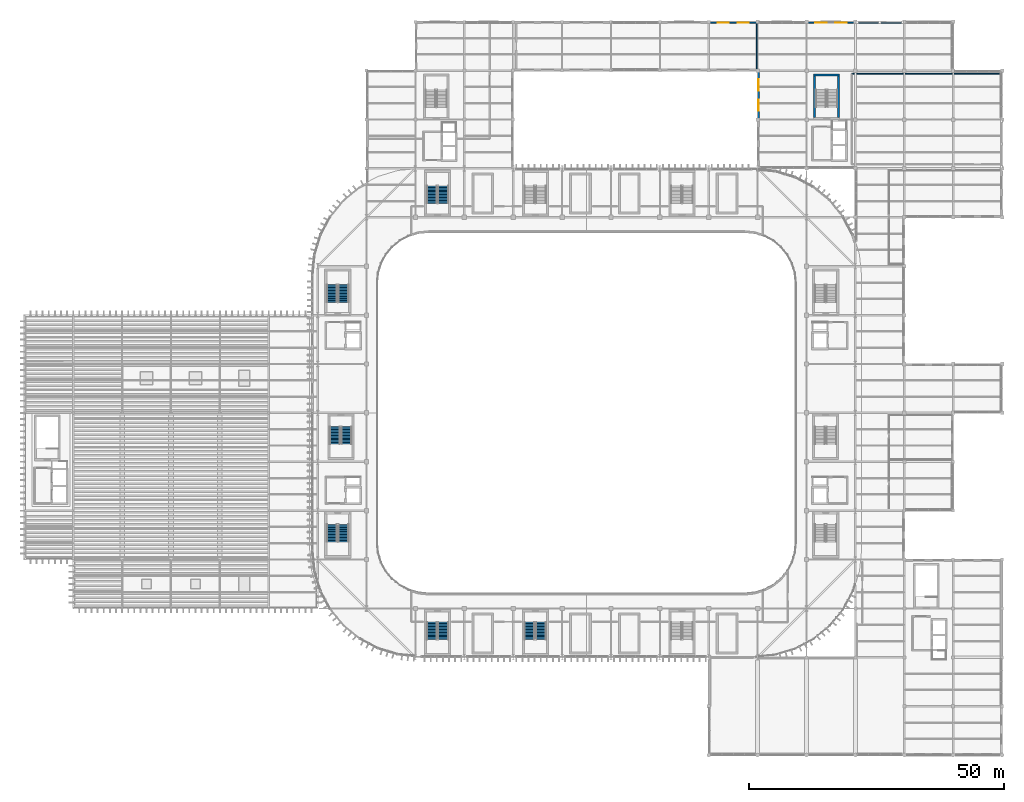
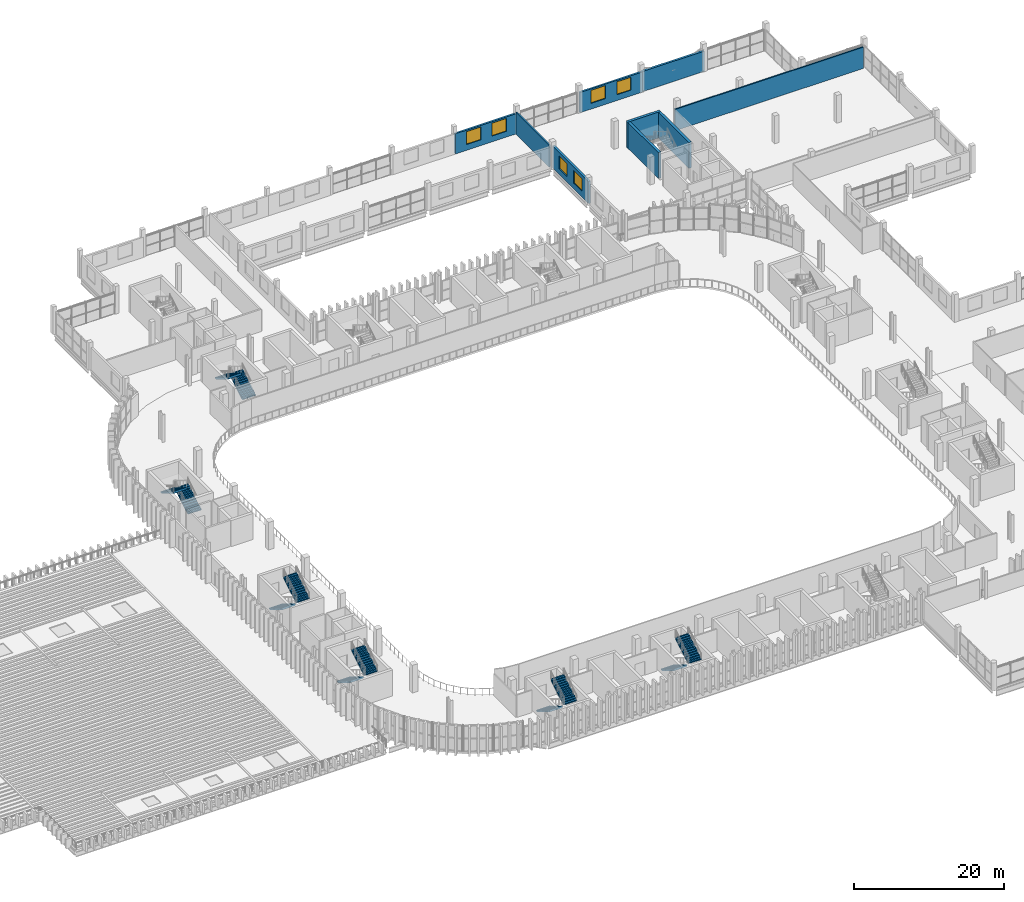
# One storey, part 65 of 92: 12 stair flights, 9 walls, 6 windows, 6 openings, 6 elements without a shape of their own.
"""IFC4 building model written with IfcOpenShell, lengths in metres."""

from ifc_helpers import new_model, si_unit, direction, frame, frame_2d, origin, place, context, subcontext, project, spatial, polyline, rectangle, outline, extrude, material, layer, layer_set, type_object, element, fill, aggregate, save


model = new_model("IFC4")

# Units and contexts
model_context = context("Model", 3, precision=1e-05, world=origin(), true_north=direction((0.0, 1.0)))
body_context = subcontext(model_context, "Body", "Model", "MODEL_VIEW")
ifc_project = project(units=[si_unit("LENGTHUNIT", "METRE"), si_unit("AREAUNIT", "SQUARE_METRE"), si_unit("VOLUMEUNIT", "CUBIC_METRE"), si_unit("PLANEANGLEUNIT", "RADIAN"), si_unit("MASSUNIT", "GRAM", prefix="KILO")], contexts=[model_context])

# Site, building, storey
site_placement = place(None, origin())
site = spatial("IfcSite", under=ifc_project, at=site_placement, CompositionType="ELEMENT")
building_placement = place(site_placement, origin())
building = spatial("IfcBuilding", under=site, at=building_placement, Name="Caelomonte Colonnade Arena", CompositionType="ELEMENT")
storey_placement = place(building_placement, frame((0.0, 0.0, 9.60009765625)))
storey = spatial("IfcBuildingStorey", under=building, at=storey_placement, Name="L02", CompositionType="ELEMENT", Elevation=9.60009765625)

# Wall, openings, windows
ifc_material_1 = material(Name="Precast concrete C40/50", Category="concrete")
ifc_layer_1 = layer(ifc_material_1, 0.2900390625)
ifc_layer_set_1 = layer_set([ifc_layer_1], Name="Precast concrete C40/50")
wall_type_1 = type_object("IfcWallType", Name="ENV-WL-EXT29", PredefinedType="SOLIDWALL", material=ifc_layer_set_1)
wall_1_placement = place(storey_placement, frame((163.199951171875, 143.820068359375, 0.0), z_axis=(0.0, 0.0, 1.0), x_axis=(-1.0, 0.0, 0.0)))
wall_1 = element("IfcWall", 1, at=wall_1_placement, inside=storey, type_object=wall_type_1, Name="L02 exterior wall EW-L02-0259", PredefinedType="SOLIDWALL", context=body_context, shape_type="SweptSolid", body=[
    extrude(rectangle(XDim=9.599853515625, YDim=0.2900390625, at=frame_2d((4.7998046875, 0.0))), origin(), (0.0, 0.0, 1.0), 3.29296875),
])
opening_1_placement = place(wall_1_placement, frame((3.933349609375, 0.0, 0.949951171875), z_axis=(0.0, 0.0, 1.0), x_axis=(-1.0, 0.0, 0.0)))
opening_1 = element("IfcOpeningElement", 2, at=opening_1_placement, cuts=wall_1, Name="Opening WN-05", PredefinedType="OPENING", context=body_context, shape_type="SweptSolid", body=[
    extrude(rectangle(XDim=2.199951171875, YDim=2.10009765625, at=frame_2d((1.10009765625, 1.050048828125))), frame((0.0, 0.155029296875, 0.0), z_axis=(0.0, -1.0, 0.0), x_axis=(1.0, 0.0, 0.0)), (0.0, 0.0, 1.0), 0.31005859375),
])
opening_2_placement = place(wall_1_placement, frame((7.86669921875, 0.0, 0.949951171875), z_axis=(0.0, 0.0, 1.0), x_axis=(-1.0, 0.0, 0.0)))
opening_2 = element("IfcOpeningElement", 3, at=opening_2_placement, cuts=wall_1, Name="Opening WN-05", PredefinedType="OPENING", context=body_context, shape_type="SweptSolid", body=[
    extrude(rectangle(XDim=2.199951171875, YDim=2.10009765625, at=frame_2d((1.10009765625, 1.050048828125))), frame((0.0, 0.155029296875, 0.0), z_axis=(0.0, -1.0, 0.0), x_axis=(1.0, 0.0, 0.0)), (0.0, 0.0, 1.0), 0.31005859375),
])
ifc_material_2 = material(Name="Solar-control bronze low-E double glazing", Category="glass")
window_type = type_object("IfcWindowType", Name="ENV-WN-V4B", PartitioningType="DOUBLE_PANEL_VERTICAL", PredefinedType="WINDOW", material=ifc_material_2)
window_1_placement = place(opening_1_placement, origin())
window_1 = element("IfcWindow", 4, at=window_1_placement, inside=storey, type_object=window_type, Name="L02 facade window 180", OverallHeight=2.10009765625, OverallWidth=2.199951171875, PartitioningType="SINGLE_PANEL", PredefinedType="WINDOW", context=body_context, shape_type="SweptSolid", body=[
    extrude(rectangle(XDim=2.199951171875, YDim=2.10009765625, at=frame_2d((1.10009765625, 1.050048828125))), frame((0.0, 0.030029296875, 0.0), z_axis=(0.0, -1.0, 0.0), x_axis=(1.0, 0.0, 0.0)), (0.0, 0.0, 1.0), 0.06005859375),
])
fill(opening_1, window_1)
window_2_placement = place(opening_2_placement, origin())
window_2 = element("IfcWindow", 5, at=window_2_placement, inside=storey, type_object=window_type, Name="L02 facade window 181", OverallHeight=2.10009765625, OverallWidth=2.199951171875, PartitioningType="SINGLE_PANEL", PredefinedType="WINDOW", context=body_context, shape_type="SweptSolid", body=[
    extrude(rectangle(XDim=2.199951171875, YDim=2.10009765625, at=frame_2d((1.10009765625, 1.050048828125))), frame((0.0, 0.030029296875, 0.0), z_axis=(0.0, -1.0, 0.0), x_axis=(1.0, 0.0, 0.0)), (0.0, 0.0, 1.0), 0.06005859375),
])
fill(opening_2, window_2)

wall_2_placement = place(storey_placement, frame((144.0, 143.820068359375, 0.0), z_axis=(0.0, 0.0, 1.0), x_axis=(-1.0, 0.0, 0.0)))
wall_2 = element("IfcWall", 6, at=wall_2_placement, inside=storey, type_object=wall_type_1, Name="L02 exterior wall EW-L02-0260", PredefinedType="SOLIDWALL", context=body_context, shape_type="SweptSolid", body=[
    extrude(rectangle(XDim=9.60009765625, YDim=0.2900390625, at=frame_2d((4.800048828125, 0.0))), origin(), (0.0, 0.0, 1.0), 3.29296875),
])
opening_3_placement = place(wall_2_placement, frame((3.933349609375, 0.0, 0.949951171875), z_axis=(0.0, 0.0, 1.0), x_axis=(-1.0, 0.0, 0.0)))
opening_3 = element("IfcOpeningElement", 7, at=opening_3_placement, cuts=wall_2, Name="Opening WN-05", PredefinedType="OPENING", context=body_context, shape_type="SweptSolid", body=[
    extrude(rectangle(XDim=2.199951171875, YDim=2.10009765625, at=frame_2d((1.10009765625, 1.050048828125))), frame((0.0, 0.155029296875, 0.0), z_axis=(0.0, -1.0, 0.0), x_axis=(1.0, 0.0, 0.0)), (0.0, 0.0, 1.0), 0.31005859375),
])
opening_4_placement = place(wall_2_placement, frame((7.86669921875, 0.0, 0.949951171875), z_axis=(0.0, 0.0, 1.0), x_axis=(-1.0, 0.0, 0.0)))
opening_4 = element("IfcOpeningElement", 8, at=opening_4_placement, cuts=wall_2, Name="Opening WN-05", PredefinedType="OPENING", context=body_context, shape_type="SweptSolid", body=[
    extrude(rectangle(XDim=2.199951171875, YDim=2.10009765625, at=frame_2d((1.10009765625, 1.050048828125))), frame((0.0, 0.155029296875, 0.0), z_axis=(0.0, -1.0, 0.0), x_axis=(1.0, 0.0, 0.0)), (0.0, 0.0, 1.0), 0.31005859375),
])
window_3_placement = place(opening_3_placement, origin())
window_3 = element("IfcWindow", 9, at=window_3_placement, inside=storey, type_object=window_type, Name="L02 facade window 182", OverallHeight=2.10009765625, OverallWidth=2.199951171875, PartitioningType="SINGLE_PANEL", PredefinedType="WINDOW", context=body_context, shape_type="SweptSolid", body=[
    extrude(rectangle(XDim=2.199951171875, YDim=2.10009765625, at=frame_2d((1.10009765625, 1.050048828125))), frame((0.0, 0.030029296875, 0.0), z_axis=(0.0, -1.0, 0.0), x_axis=(1.0, 0.0, 0.0)), (0.0, 0.0, 1.0), 0.06005859375),
])
fill(opening_3, window_3)
window_4_placement = place(opening_4_placement, origin())
window_4 = element("IfcWindow", 10, at=window_4_placement, inside=storey, type_object=window_type, Name="L02 facade window 183", OverallHeight=2.10009765625, OverallWidth=2.199951171875, PartitioningType="SINGLE_PANEL", PredefinedType="WINDOW", context=body_context, shape_type="SweptSolid", body=[
    extrude(rectangle(XDim=2.199951171875, YDim=2.10009765625, at=frame_2d((1.10009765625, 1.050048828125))), frame((0.0, 0.030029296875, 0.0), z_axis=(0.0, -1.0, 0.0), x_axis=(1.0, 0.0, 0.0)), (0.0, 0.0, 1.0), 0.06005859375),
])
fill(opening_4, window_4)

# Wall
ifc_layer_2 = layer(ifc_material_1, 0.330078125)
ifc_layer_set_2 = layer_set([ifc_layer_2], Name="Precast concrete C40/50")
wall_type_2 = type_object("IfcWallType", Name="ENV-WL-EXT33", PredefinedType="SOLIDWALL", material=ifc_layer_set_2)
wall_3_placement = place(storey_placement, frame((172.800048828125, 143.89990234375, 0.0), z_axis=(0.0, 0.0, 1.0), x_axis=(-1.0, 0.0, 0.0)))
element("IfcWall", 11, at=wall_3_placement, inside=storey, type_object=wall_type_2, Name="L02 exterior wall EW-L02-0258", PredefinedType="SOLIDWALL", context=body_context, shape_type="SweptSolid", body=[
    extrude(rectangle(XDim=9.60009765625, YDim=0.330078125, at=frame_2d((4.800048828125, 0.0))), origin(), (0.0, 0.0, 1.0), 3.29296875),
])

# Wall, openings, windows
wall_4_placement = place(storey_placement, frame((144.179931640625, 134.39990234375, 0.0), z_axis=(0.0, 0.0, 1.0), x_axis=(0.0, -1.0, 0.0)))
wall_4 = element("IfcWall", 12, at=wall_4_placement, inside=storey, type_object=wall_type_2, Name="L02 exterior wall EW-L02-0274", PredefinedType="SOLIDWALL", context=body_context, shape_type="SweptSolid", body=[
    extrude(rectangle(XDim=9.599853515625, YDim=0.330078125, at=frame_2d((4.7998046875, 0.0))), origin(), (0.0, 0.0, 1.0), 3.61279296875),
])
opening_5_placement = place(wall_4_placement, frame((3.933349609375, 0.0, 0.949951171875), z_axis=(0.0, 0.0, 1.0), x_axis=(-1.0, 0.0, 0.0)))
opening_5 = element("IfcOpeningElement", 13, at=opening_5_placement, cuts=wall_4, Name="Opening WN-05", PredefinedType="OPENING", context=body_context, shape_type="SweptSolid", body=[
    extrude(rectangle(XDim=2.199951171875, YDim=2.10009765625, at=frame_2d((1.10009765625, 1.050048828125))), frame((0.0, 0.175048828125, 0.0), z_axis=(0.0, -1.0, 0.0), x_axis=(1.0, 0.0, 0.0)), (0.0, 0.0, 1.0), 0.35009765625),
])
opening_6_placement = place(wall_4_placement, frame((7.86669921875, 0.0, 0.949951171875), z_axis=(0.0, 0.0, 1.0), x_axis=(-1.0, 0.0, 0.0)))
opening_6 = element("IfcOpeningElement", 14, at=opening_6_placement, cuts=wall_4, Name="Opening WN-05", PredefinedType="OPENING", context=body_context, shape_type="SweptSolid", body=[
    extrude(rectangle(XDim=2.199951171875, YDim=2.10009765625, at=frame_2d((1.10009765625, 1.050048828125))), frame((0.0, 0.175048828125, 0.0), z_axis=(0.0, -1.0, 0.0), x_axis=(1.0, 0.0, 0.0)), (0.0, 0.0, 1.0), 0.35009765625),
])
window_5_placement = place(opening_5_placement, origin())
window_5 = element("IfcWindow", 15, at=window_5_placement, inside=storey, type_object=window_type, Name="L02 facade window 207", OverallHeight=2.10009765625, OverallWidth=2.199951171875, PartitioningType="SINGLE_PANEL", PredefinedType="WINDOW", context=body_context, shape_type="SweptSolid", body=[
    extrude(rectangle(XDim=2.199951171875, YDim=2.10009765625, at=frame_2d((1.10009765625, 1.050048828125))), frame((0.0, 0.030029296875, 0.0), z_axis=(0.0, -1.0, 0.0), x_axis=(1.0, 0.0, 0.0)), (0.0, 0.0, 1.0), 0.06005859375),
])
fill(opening_5, window_5)
window_6_placement = place(opening_6_placement, origin())
window_6 = element("IfcWindow", 16, at=window_6_placement, inside=storey, type_object=window_type, Name="L02 facade window 208", OverallHeight=2.10009765625, OverallWidth=2.199951171875, PartitioningType="SINGLE_PANEL", PredefinedType="WINDOW", context=body_context, shape_type="SweptSolid", body=[
    extrude(rectangle(XDim=2.199951171875, YDim=2.10009765625, at=frame_2d((1.10009765625, 1.050048828125))), frame((0.0, 0.030029296875, 0.0), z_axis=(0.0, -1.0, 0.0), x_axis=(1.0, 0.0, 0.0)), (0.0, 0.0, 1.0), 0.06005859375),
])
fill(opening_6, window_6)

# Walls
ifc_material_3 = material(Name="Fire-rated gypsum stud partition")
ifc_layer_3 = layer(ifc_material_3, 0.199951171875)
ifc_layer_set_3 = layer_set([ifc_layer_3], Name="Fire-rated gypsum stud partition")
wall_type_3 = type_object("IfcWallType", Name="INT-WL-PT20", PredefinedType="PARTITIONING", material=ifc_layer_set_3)
wall_5_placement = place(storey_placement, frame((143.800048828125, 143.60009765625, 0.0), z_axis=(0.0, 0.0, 1.0), x_axis=(0.0, -1.0, 0.0)))
element("IfcWall", 17, at=wall_5_placement, inside=storey, type_object=wall_type_3, Name="L02 Founders Club Lounge partition 187", PredefinedType="PARTITIONING", context=body_context, shape_type="SweptSolid", body=[
    extrude(rectangle(XDim=8.800048828125, YDim=0.199951171875, at=frame_2d((4.39990234375, 0.0))), origin(), (0.0, 0.0, 1.0), 3.61279296875),
])
wall_6_placement = place(storey_placement, frame((162.5, 133.800048828125, 0.0), z_axis=(0.0, 0.0, 1.0), x_axis=(1.0, 0.0, 0.0)))
element("IfcWall", 18, at=wall_6_placement, inside=storey, type_object=wall_type_3, Name="L02 Panamanian Civic Salon partition 189", PredefinedType="PARTITIONING", context=body_context, shape_type="SweptSolid", body=[
    extrude(rectangle(XDim=29.0, YDim=0.199951171875, at=frame_2d((14.5, 0.0))), origin(), (0.0, 0.0, 1.0), 3.469970703125),
])
ifc_material_4 = material(Name="Concrete C50/60", Category="concrete")
ifc_layer_4 = layer(ifc_material_4, 0.39990234375)
ifc_layer_set_4 = layer_set([ifc_layer_4], Name="Concrete C50/60")
wall_type_4 = type_object("IfcWallType", Name="INT-WL-SH40", PredefinedType="SHEAR", material=ifc_layer_set_4)
wall_7_placement = place(storey_placement, frame((160.10009765625, 133.550048828125, 0.0), z_axis=(0.0, 0.0, 1.0), x_axis=(-1.0, 0.0, 0.0)))
element("IfcWall", 19, at=wall_7_placement, inside=storey, type_object=wall_type_4, Name="CW-C6-ST L02 north enclosure wall", PredefinedType="SHEAR", context=body_context, shape_type="SweptSolid", body=[
    extrude(rectangle(XDim=5.10009765625, YDim=0.39990234375, at=frame_2d((2.550048828125, 0.0))), origin(), (0.0, 0.0, 1.0), 4.219970703125),
])
for number, where, z_axis, x_axis, name in (
    (20, (155.199951171875, 133.35009765625, 0.0), (0.0, 0.0, 1.0), (0.0, -1.0, 0.0), "CW-C6-ST L02 west enclosure wall"),
    (21, (159.89990234375, 125.199951171875, 0.0), (0.0, 0.0, 1.0), (0.0, 1.0, 0.0), "CW-C6-ST L02 east enclosure wall"),
):
    element("IfcWall", number, at=place(storey_placement, frame(where, z_axis=z_axis, x_axis=x_axis)), inside=storey, type_object=wall_type_4, Name=name, PredefinedType="SHEAR", context=body_context, shape_type="SweptSolid", body=[
        extrude(rectangle(XDim=8.150146484375, YDim=0.39990234375, at=frame_2d((4.0751953125, 0.0))), origin(), (0.0, 0.0, 1.0), 4.219970703125),
    ])

# Stair, stair flights
ifc_material_5 = material(Name="Concrete C40/50", Category="concrete")
stair_type_1 = type_object("IfcStairType", Name="INT-ST-CORE45", PredefinedType="HALF_TURN_STAIR", material=ifc_material_5)
stair_1_placement = place(storey_placement, origin())
stair_1 = element("IfcStair", 22, at=stair_1_placement, inside=storey, type_object=stair_type_1, Name="L02 Protected exit stair ST-09", PredefinedType="HALF_TURN_STAIR")
stair_flight_type_1 = type_object("IfcStairFlightType", Name="INT-SF-CORE45", PredefinedType="STRAIGHT", material=ifc_material_5)
stair_flight_1_placement = place(storey_placement, frame((61.02490234375, 64.5, 0.0), z_axis=(0.0, 0.0, 1.0), x_axis=(0.0, -1.0, 0.0)))
stair_flight_1 = element("IfcStairFlight", 23, at=stair_flight_1_placement, type_object=stair_flight_type_1, Name="ST-09 flight 1", NumberOfRisers=13, NumberOfTreads=12, PredefinedType="STRAIGHT", RiserHeight=0.173076923, TreadLength=0.285, context=body_context, shape_type="SweptSolid", body=[
    extrude(outline(polyline([(-0.02490234375, 0.0), (-0.02490234375, 0.103759765625), (0.0, 0.103759765625), (0.0, 0.173095703125), (0.284912109375, 0.173095703125), (0.284912109375, 0.34619140625), (0.570068359375, 0.34619140625), (0.570068359375, 0.519287109375), (0.85498046875, 0.519287109375), (0.85498046875, 0.6923828125), (1.139892578125, 0.6923828125), (1.139892578125, 0.865478515625), (1.425048828125, 0.865478515625), (1.425048828125, 1.03857421875), (1.7099609375, 1.03857421875), (1.7099609375, 1.21142578125), (1.9951171875, 1.21142578125), (1.9951171875, 1.384521484375), (2.280029296875, 1.384521484375), (2.280029296875, 1.5576171875), (2.56494140625, 1.5576171875), (2.56494140625, 1.730712890625), (2.85009765625, 1.730712890625), (2.85009765625, 1.90380859375), (3.135009765625, 1.90380859375), (3.135009765625, 2.076904296875), (3.419921875, 2.076904296875), (3.419921875, 2.25), (3.445068359375, 2.25), (3.445068359375, 1.901611328125), (0.288818359375, 0.0), (-0.02490234375, 0.0)])), frame((0.0, 1.02490234375, 0.0), z_axis=(0.0, -1.0, 0.0), x_axis=(1.0, 0.0, 0.0)), (0.0, 0.0, 1.0), 2.050048828125),
])
stair_flight_2_placement = place(storey_placement, frame((63.27490234375, 61.080078125, 2.25), z_axis=(0.0, 0.0, 1.0), x_axis=(0.0, 1.0, 0.0)))
stair_flight_2 = element("IfcStairFlight", 24, at=stair_flight_2_placement, type_object=stair_flight_type_1, Name="ST-09 flight 2", NumberOfRisers=13, NumberOfTreads=12, PredefinedType="STRAIGHT", RiserHeight=0.173076923, TreadLength=0.285, context=body_context, shape_type="SweptSolid", body=[
    extrude(outline(polyline([(-0.02490234375, 0.0), (-0.02490234375, 0.103759765625), (0.0, 0.103759765625), (0.0, 0.173095703125), (0.284912109375, 0.173095703125), (0.284912109375, 0.34619140625), (0.570068359375, 0.34619140625), (0.570068359375, 0.519287109375), (0.85498046875, 0.519287109375), (0.85498046875, 0.6923828125), (1.139892578125, 0.6923828125), (1.139892578125, 0.865478515625), (1.425048828125, 0.865478515625), (1.425048828125, 1.03857421875), (1.7099609375, 1.03857421875), (1.7099609375, 1.21142578125), (1.9951171875, 1.21142578125), (1.9951171875, 1.384521484375), (2.280029296875, 1.384521484375), (2.280029296875, 1.5576171875), (2.56494140625, 1.5576171875), (2.56494140625, 1.730712890625), (2.85009765625, 1.730712890625), (2.85009765625, 1.90380859375), (3.135009765625, 1.90380859375), (3.135009765625, 2.076904296875), (3.419921875, 2.076904296875), (3.419921875, 2.25), (3.445068359375, 2.25), (3.445068359375, 1.901611328125), (0.288818359375, 0.0), (-0.02490234375, 0.0)])), frame((0.0, 1.02490234375, 0.0), z_axis=(0.0, -1.0, 0.0), x_axis=(1.0, 0.0, 0.0)), (0.0, 0.0, 1.0), 2.050048828125),
])
aggregate(stair_1, [stair_flight_1, stair_flight_2])

stair_2_placement = place(storey_placement, origin())
stair_2 = element("IfcStair", 25, at=stair_2_placement, inside=storey, type_object=stair_type_1, Name="L02 Protected exit stair ST-11", PredefinedType="HALF_TURN_STAIR")
stair_flight_3_placement = place(storey_placement, frame((80.02490234375, 26.10009765625, 0.0), z_axis=(0.0, 0.0, 1.0), x_axis=(0.0, -1.0, 0.0)))
stair_flight_3 = element("IfcStairFlight", 26, at=stair_flight_3_placement, type_object=stair_flight_type_1, Name="ST-11 flight 1", NumberOfRisers=13, NumberOfTreads=12, PredefinedType="STRAIGHT", RiserHeight=0.173076923, TreadLength=0.285, context=body_context, shape_type="SweptSolid", body=[
    extrude(outline(polyline([(-0.02490234375, 0.0), (-0.02490234375, 0.103759765625), (0.0, 0.103759765625), (0.0, 0.173095703125), (0.284912109375, 0.173095703125), (0.284912109375, 0.34619140625), (0.570068359375, 0.34619140625), (0.570068359375, 0.519287109375), (0.85498046875, 0.519287109375), (0.85498046875, 0.6923828125), (1.139892578125, 0.6923828125), (1.139892578125, 0.865478515625), (1.425048828125, 0.865478515625), (1.425048828125, 1.03857421875), (1.7099609375, 1.03857421875), (1.7099609375, 1.21142578125), (1.9951171875, 1.21142578125), (1.9951171875, 1.384521484375), (2.280029296875, 1.384521484375), (2.280029296875, 1.5576171875), (2.56494140625, 1.5576171875), (2.56494140625, 1.730712890625), (2.85009765625, 1.730712890625), (2.85009765625, 1.90380859375), (3.135009765625, 1.90380859375), (3.135009765625, 2.076904296875), (3.419921875, 2.076904296875), (3.419921875, 2.25), (3.445068359375, 2.25), (3.445068359375, 1.901611328125), (0.288818359375, 0.0), (-0.02490234375, 0.0)])), frame((0.0, 1.02490234375, 0.0), z_axis=(0.0, -1.0, 0.0), x_axis=(1.0, 0.0, 0.0)), (0.0, 0.0, 1.0), 2.050048828125),
])
stair_flight_4_placement = place(storey_placement, frame((82.27490234375, 22.679931640625, 2.25), z_axis=(0.0, 0.0, 1.0), x_axis=(0.0, 1.0, 0.0)))
stair_flight_4 = element("IfcStairFlight", 27, at=stair_flight_4_placement, type_object=stair_flight_type_1, Name="ST-11 flight 2", NumberOfRisers=13, NumberOfTreads=12, PredefinedType="STRAIGHT", RiserHeight=0.173076923, TreadLength=0.285, context=body_context, shape_type="SweptSolid", body=[
    extrude(outline(polyline([(-0.02490234375, 0.0), (-0.02490234375, 0.103759765625), (0.0, 0.103759765625), (0.0, 0.173095703125), (0.284912109375, 0.173095703125), (0.284912109375, 0.34619140625), (0.570068359375, 0.34619140625), (0.570068359375, 0.519287109375), (0.85498046875, 0.519287109375), (0.85498046875, 0.6923828125), (1.139892578125, 0.6923828125), (1.139892578125, 0.865478515625), (1.425048828125, 0.865478515625), (1.425048828125, 1.03857421875), (1.7099609375, 1.03857421875), (1.7099609375, 1.21142578125), (1.9951171875, 1.21142578125), (1.9951171875, 1.384521484375), (2.280029296875, 1.384521484375), (2.280029296875, 1.5576171875), (2.56494140625, 1.5576171875), (2.56494140625, 1.730712890625), (2.85009765625, 1.730712890625), (2.85009765625, 1.90380859375), (3.135009765625, 1.90380859375), (3.135009765625, 2.076904296875), (3.419921875, 2.076904296875), (3.419921875, 2.25), (3.445068359375, 2.25), (3.445068359375, 1.901611328125), (0.288818359375, 0.0), (-0.02490234375, 0.0)])), frame((0.0, 1.02490234375, 0.0), z_axis=(0.0, -1.0, 0.0), x_axis=(1.0, 0.0, 0.0)), (0.0, 0.0, 1.0), 2.050048828125),
])
aggregate(stair_2, [stair_flight_3, stair_flight_4])

stair_3_placement = place(storey_placement, origin())
stair_3 = element("IfcStair", 28, at=stair_3_placement, inside=storey, type_object=stair_type_1, Name="L02 Protected exit stair ST-12", PredefinedType="HALF_TURN_STAIR")
stair_flight_5_placement = place(storey_placement, frame((99.22509765625, 26.10009765625, 0.0), z_axis=(0.0, 0.0, 1.0), x_axis=(0.0, -1.0, 0.0)))
stair_flight_5 = element("IfcStairFlight", 29, at=stair_flight_5_placement, type_object=stair_flight_type_1, Name="ST-12 flight 1", NumberOfRisers=13, NumberOfTreads=12, PredefinedType="STRAIGHT", RiserHeight=0.173076923, TreadLength=0.285, context=body_context, shape_type="SweptSolid", body=[
    extrude(outline(polyline([(-0.02490234375, 0.0), (-0.02490234375, 0.103759765625), (0.0, 0.103759765625), (0.0, 0.173095703125), (0.284912109375, 0.173095703125), (0.284912109375, 0.34619140625), (0.570068359375, 0.34619140625), (0.570068359375, 0.519287109375), (0.85498046875, 0.519287109375), (0.85498046875, 0.6923828125), (1.139892578125, 0.6923828125), (1.139892578125, 0.865478515625), (1.425048828125, 0.865478515625), (1.425048828125, 1.03857421875), (1.7099609375, 1.03857421875), (1.7099609375, 1.21142578125), (1.9951171875, 1.21142578125), (1.9951171875, 1.384521484375), (2.280029296875, 1.384521484375), (2.280029296875, 1.5576171875), (2.56494140625, 1.5576171875), (2.56494140625, 1.730712890625), (2.85009765625, 1.730712890625), (2.85009765625, 1.90380859375), (3.135009765625, 1.90380859375), (3.135009765625, 2.076904296875), (3.419921875, 2.076904296875), (3.419921875, 2.25), (3.445068359375, 2.25), (3.445068359375, 1.901611328125), (0.288818359375, 0.0), (-0.02490234375, 0.0)])), frame((0.0, 1.02490234375, 0.0), z_axis=(0.0, -1.0, 0.0), x_axis=(1.0, 0.0, 0.0)), (0.0, 0.0, 1.0), 2.050048828125),
])
stair_flight_6_placement = place(storey_placement, frame((101.47509765625, 22.679931640625, 2.25), z_axis=(0.0, 0.0, 1.0), x_axis=(0.0, 1.0, 0.0)))
stair_flight_6 = element("IfcStairFlight", 30, at=stair_flight_6_placement, type_object=stair_flight_type_1, Name="ST-12 flight 2", NumberOfRisers=13, NumberOfTreads=12, PredefinedType="STRAIGHT", RiserHeight=0.173076923, TreadLength=0.285, context=body_context, shape_type="SweptSolid", body=[
    extrude(outline(polyline([(-0.02490234375, 0.0), (-0.02490234375, 0.103759765625), (0.0, 0.103759765625), (0.0, 0.173095703125), (0.284912109375, 0.173095703125), (0.284912109375, 0.34619140625), (0.570068359375, 0.34619140625), (0.570068359375, 0.519287109375), (0.85498046875, 0.519287109375), (0.85498046875, 0.6923828125), (1.139892578125, 0.6923828125), (1.139892578125, 0.865478515625), (1.425048828125, 0.865478515625), (1.425048828125, 1.03857421875), (1.7099609375, 1.03857421875), (1.7099609375, 1.21142578125), (1.9951171875, 1.21142578125), (1.9951171875, 1.384521484375), (2.280029296875, 1.384521484375), (2.280029296875, 1.5576171875), (2.56494140625, 1.5576171875), (2.56494140625, 1.730712890625), (2.85009765625, 1.730712890625), (2.85009765625, 1.90380859375), (3.135009765625, 1.90380859375), (3.135009765625, 2.076904296875), (3.419921875, 2.076904296875), (3.419921875, 2.25), (3.445068359375, 2.25), (3.445068359375, 1.901611328125), (0.288818359375, 0.0), (-0.02490234375, 0.0)])), frame((0.0, 1.02490234375, 0.0), z_axis=(0.0, -1.0, 0.0), x_axis=(1.0, 0.0, 0.0)), (0.0, 0.0, 1.0), 2.050048828125),
])
aggregate(stair_3, [stair_flight_5, stair_flight_6])

stair_4_placement = place(storey_placement, origin())
stair_4 = element("IfcStair", 31, at=stair_4_placement, inside=storey, type_object=stair_type_1, Name="L02 Protected exit stair ST-14", PredefinedType="HALF_TURN_STAIR")
stair_flight_7_placement = place(storey_placement, frame((82.27490234375, 108.35009765625, 0.0), z_axis=(0.0, 0.0, 1.0), x_axis=(0.0, 1.0, 0.0)))
stair_flight_7 = element("IfcStairFlight", 32, at=stair_flight_7_placement, type_object=stair_flight_type_1, Name="ST-14 flight 1", NumberOfRisers=13, NumberOfTreads=12, PredefinedType="STRAIGHT", RiserHeight=0.173076923, TreadLength=0.285, context=body_context, shape_type="SweptSolid", body=[
    extrude(outline(polyline([(-0.02490234375, 0.0), (-0.02490234375, 0.103759765625), (0.0, 0.103759765625), (0.0, 0.173095703125), (0.284912109375, 0.173095703125), (0.284912109375, 0.34619140625), (0.570068359375, 0.34619140625), (0.570068359375, 0.519287109375), (0.85498046875, 0.519287109375), (0.85498046875, 0.6923828125), (1.139892578125, 0.6923828125), (1.139892578125, 0.865478515625), (1.425048828125, 0.865478515625), (1.425048828125, 1.03857421875), (1.7099609375, 1.03857421875), (1.7099609375, 1.21142578125), (1.9951171875, 1.21142578125), (1.9951171875, 1.384521484375), (2.280029296875, 1.384521484375), (2.280029296875, 1.5576171875), (2.56494140625, 1.5576171875), (2.56494140625, 1.730712890625), (2.85009765625, 1.730712890625), (2.85009765625, 1.90380859375), (3.135009765625, 1.90380859375), (3.135009765625, 2.076904296875), (3.419921875, 2.076904296875), (3.419921875, 2.25), (3.445068359375, 2.25), (3.445068359375, 1.901611328125), (0.288818359375, 0.0), (-0.02490234375, 0.0)])), frame((0.0, 1.02490234375, 0.0), z_axis=(0.0, -1.0, 0.0), x_axis=(1.0, 0.0, 0.0)), (0.0, 0.0, 1.0), 2.050048828125),
])
stair_flight_8_placement = place(storey_placement, frame((80.02490234375, 111.77001953125, 2.25), z_axis=(0.0, 0.0, 1.0), x_axis=(0.0, -1.0, 0.0)))
stair_flight_8 = element("IfcStairFlight", 33, at=stair_flight_8_placement, type_object=stair_flight_type_1, Name="ST-14 flight 2", NumberOfRisers=13, NumberOfTreads=12, PredefinedType="STRAIGHT", RiserHeight=0.173076923, TreadLength=0.285, context=body_context, shape_type="SweptSolid", body=[
    extrude(outline(polyline([(-0.02490234375, 0.0), (-0.02490234375, 0.103759765625), (0.0, 0.103759765625), (0.0, 0.173095703125), (0.284912109375, 0.173095703125), (0.284912109375, 0.34619140625), (0.570068359375, 0.34619140625), (0.570068359375, 0.519287109375), (0.85498046875, 0.519287109375), (0.85498046875, 0.6923828125), (1.139892578125, 0.6923828125), (1.139892578125, 0.865478515625), (1.425048828125, 0.865478515625), (1.425048828125, 1.03857421875), (1.7099609375, 1.03857421875), (1.7099609375, 1.21142578125), (1.9951171875, 1.21142578125), (1.9951171875, 1.384521484375), (2.280029296875, 1.384521484375), (2.280029296875, 1.5576171875), (2.56494140625, 1.5576171875), (2.56494140625, 1.730712890625), (2.85009765625, 1.730712890625), (2.85009765625, 1.90380859375), (3.135009765625, 1.90380859375), (3.135009765625, 2.076904296875), (3.419921875, 2.076904296875), (3.419921875, 2.25), (3.445068359375, 2.25), (3.445068359375, 1.901611328125), (0.288818359375, 0.0), (-0.02490234375, 0.0)])), frame((0.0, 1.02490234375, 0.0), z_axis=(0.0, -1.0, 0.0), x_axis=(1.0, 0.0, 0.0)), (0.0, 0.0, 1.0), 2.050048828125),
])
aggregate(stair_4, [stair_flight_7, stair_flight_8])

stair_type_2 = type_object("IfcStairType", Name="INT-ST-WING45", PredefinedType="HALF_TURN_STAIR", material=ifc_material_5)
stair_5_placement = place(storey_placement, origin())
stair_5 = element("IfcStair", 34, at=stair_5_placement, inside=storey, type_object=stair_type_2, Name="L02 Core C1 exit stair ST-01", PredefinedType="HALF_TURN_STAIR")
stair_flight_type_2 = type_object("IfcStairFlightType", Name="INT-SF-WING45", PredefinedType="STRAIGHT", material=ifc_material_5)
stair_flight_9_placement = place(storey_placement, frame((60.425048828125, 45.300048828125, 0.0), z_axis=(0.0, 0.0, 1.0), x_axis=(0.0, -1.0, 0.0)))
stair_flight_9 = element("IfcStairFlight", 35, at=stair_flight_9_placement, type_object=stair_flight_type_2, Name="ST-01 flight 1", NumberOfRisers=13, NumberOfTreads=12, PredefinedType="STRAIGHT", RiserHeight=0.173076923, TreadLength=0.285, context=body_context, shape_type="SweptSolid", body=[
    extrude(outline(polyline([(-0.02490234375, 0.0), (-0.02490234375, 0.103759765625), (0.0, 0.103759765625), (0.0, 0.173095703125), (0.284912109375, 0.173095703125), (0.284912109375, 0.34619140625), (0.570068359375, 0.34619140625), (0.570068359375, 0.519287109375), (0.85498046875, 0.519287109375), (0.85498046875, 0.6923828125), (1.139892578125, 0.6923828125), (1.139892578125, 0.865478515625), (1.425048828125, 0.865478515625), (1.425048828125, 1.03857421875), (1.7099609375, 1.03857421875), (1.7099609375, 1.21142578125), (1.9951171875, 1.21142578125), (1.9951171875, 1.384521484375), (2.280029296875, 1.384521484375), (2.280029296875, 1.5576171875), (2.56494140625, 1.5576171875), (2.56494140625, 1.730712890625), (2.85009765625, 1.730712890625), (2.85009765625, 1.90380859375), (3.135009765625, 1.90380859375), (3.135009765625, 2.076904296875), (3.419921875, 2.076904296875), (3.419921875, 2.25), (3.445068359375, 2.25), (3.445068359375, 1.901611328125), (0.288818359375, 0.0), (-0.02490234375, 0.0)])), frame((0.0, 1.02490234375, 0.0), z_axis=(0.0, -1.0, 0.0), x_axis=(1.0, 0.0, 0.0)), (0.0, 0.0, 1.0), 2.050048828125),
])
stair_flight_10_placement = place(storey_placement, frame((62.675048828125, 41.8798828125, 2.25), z_axis=(0.0, 0.0, 1.0), x_axis=(0.0, 1.0, 0.0)))
stair_flight_10 = element("IfcStairFlight", 36, at=stair_flight_10_placement, type_object=stair_flight_type_2, Name="ST-01 flight 2", NumberOfRisers=13, NumberOfTreads=12, PredefinedType="STRAIGHT", RiserHeight=0.173076923, TreadLength=0.285, context=body_context, shape_type="SweptSolid", body=[
    extrude(outline(polyline([(-0.02490234375, 0.0), (-0.02490234375, 0.103759765625), (0.0, 0.103759765625), (0.0, 0.173095703125), (0.284912109375, 0.173095703125), (0.284912109375, 0.34619140625), (0.570068359375, 0.34619140625), (0.570068359375, 0.519287109375), (0.85498046875, 0.519287109375), (0.85498046875, 0.6923828125), (1.139892578125, 0.6923828125), (1.139892578125, 0.865478515625), (1.425048828125, 0.865478515625), (1.425048828125, 1.03857421875), (1.7099609375, 1.03857421875), (1.7099609375, 1.21142578125), (1.9951171875, 1.21142578125), (1.9951171875, 1.384521484375), (2.280029296875, 1.384521484375), (2.280029296875, 1.5576171875), (2.56494140625, 1.5576171875), (2.56494140625, 1.730712890625), (2.85009765625, 1.730712890625), (2.85009765625, 1.90380859375), (3.135009765625, 1.90380859375), (3.135009765625, 2.076904296875), (3.419921875, 2.076904296875), (3.419921875, 2.25), (3.445068359375, 2.25), (3.445068359375, 1.901611328125), (0.288818359375, 0.0), (-0.02490234375, 0.0)])), frame((0.0, 1.02490234375, 0.0), z_axis=(0.0, -1.0, 0.0), x_axis=(1.0, 0.0, 0.0)), (0.0, 0.0, 1.0), 2.050048828125),
])
aggregate(stair_5, [stair_flight_9, stair_flight_10])

stair_6_placement = place(storey_placement, origin())
stair_6 = element("IfcStair", 37, at=stair_6_placement, inside=storey, type_object=stair_type_2, Name="L02 Core C4 exit stair ST-04", PredefinedType="HALF_TURN_STAIR")
stair_flight_11_placement = place(storey_placement, frame((62.675048828125, 88.949951171875, 0.0), z_axis=(0.0, 0.0, 1.0), x_axis=(0.0, 1.0, 0.0)))
stair_flight_11 = element("IfcStairFlight", 38, at=stair_flight_11_placement, type_object=stair_flight_type_2, Name="ST-04 flight 1", NumberOfRisers=13, NumberOfTreads=12, PredefinedType="STRAIGHT", RiserHeight=0.173076923, TreadLength=0.285, context=body_context, shape_type="SweptSolid", body=[
    extrude(outline(polyline([(-0.02490234375, 0.0), (-0.02490234375, 0.103759765625), (0.0, 0.103759765625), (0.0, 0.173095703125), (0.284912109375, 0.173095703125), (0.284912109375, 0.34619140625), (0.570068359375, 0.34619140625), (0.570068359375, 0.519287109375), (0.85498046875, 0.519287109375), (0.85498046875, 0.6923828125), (1.139892578125, 0.6923828125), (1.139892578125, 0.865478515625), (1.425048828125, 0.865478515625), (1.425048828125, 1.03857421875), (1.7099609375, 1.03857421875), (1.7099609375, 1.21142578125), (1.9951171875, 1.21142578125), (1.9951171875, 1.384521484375), (2.280029296875, 1.384521484375), (2.280029296875, 1.5576171875), (2.56494140625, 1.5576171875), (2.56494140625, 1.730712890625), (2.85009765625, 1.730712890625), (2.85009765625, 1.90380859375), (3.135009765625, 1.90380859375), (3.135009765625, 2.076904296875), (3.419921875, 2.076904296875), (3.419921875, 2.25), (3.445068359375, 2.25), (3.445068359375, 1.901611328125), (0.288818359375, 0.0), (-0.02490234375, 0.0)])), frame((0.0, 1.02490234375, 0.0), z_axis=(0.0, -1.0, 0.0), x_axis=(1.0, 0.0, 0.0)), (0.0, 0.0, 1.0), 2.050048828125),
])
stair_flight_12_placement = place(storey_placement, frame((60.425048828125, 92.3701171875, 2.25), z_axis=(0.0, 0.0, 1.0), x_axis=(0.0, -1.0, 0.0)))
stair_flight_12 = element("IfcStairFlight", 39, at=stair_flight_12_placement, type_object=stair_flight_type_2, Name="ST-04 flight 2", NumberOfRisers=13, NumberOfTreads=12, PredefinedType="STRAIGHT", RiserHeight=0.173076923, TreadLength=0.285, context=body_context, shape_type="SweptSolid", body=[
    extrude(outline(polyline([(-0.02490234375, 0.0), (-0.02490234375, 0.103759765625), (0.0, 0.103759765625), (0.0, 0.173095703125), (0.284912109375, 0.173095703125), (0.284912109375, 0.34619140625), (0.570068359375, 0.34619140625), (0.570068359375, 0.519287109375), (0.85498046875, 0.519287109375), (0.85498046875, 0.6923828125), (1.139892578125, 0.6923828125), (1.139892578125, 0.865478515625), (1.425048828125, 0.865478515625), (1.425048828125, 1.03857421875), (1.7099609375, 1.03857421875), (1.7099609375, 1.21142578125), (1.9951171875, 1.21142578125), (1.9951171875, 1.384521484375), (2.280029296875, 1.384521484375), (2.280029296875, 1.5576171875), (2.56494140625, 1.5576171875), (2.56494140625, 1.730712890625), (2.85009765625, 1.730712890625), (2.85009765625, 1.90380859375), (3.135009765625, 1.90380859375), (3.135009765625, 2.076904296875), (3.419921875, 2.076904296875), (3.419921875, 2.25), (3.445068359375, 2.25), (3.445068359375, 1.901611328125), (0.288818359375, 0.0), (-0.02490234375, 0.0)])), frame((0.0, 1.02490234375, 0.0), z_axis=(0.0, -1.0, 0.0), x_axis=(1.0, 0.0, 0.0)), (0.0, 0.0, 1.0), 2.050048828125),
])
aggregate(stair_6, [stair_flight_11, stair_flight_12])

save(model, "model.ifc")
